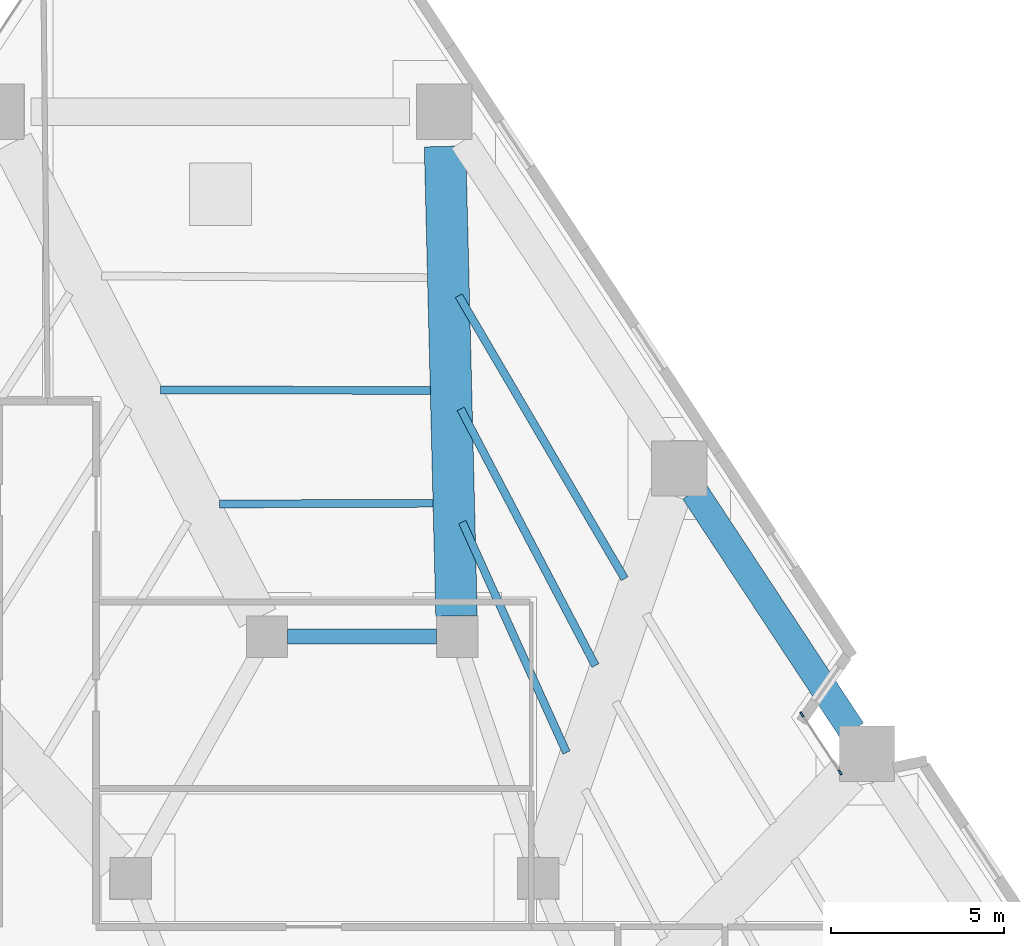
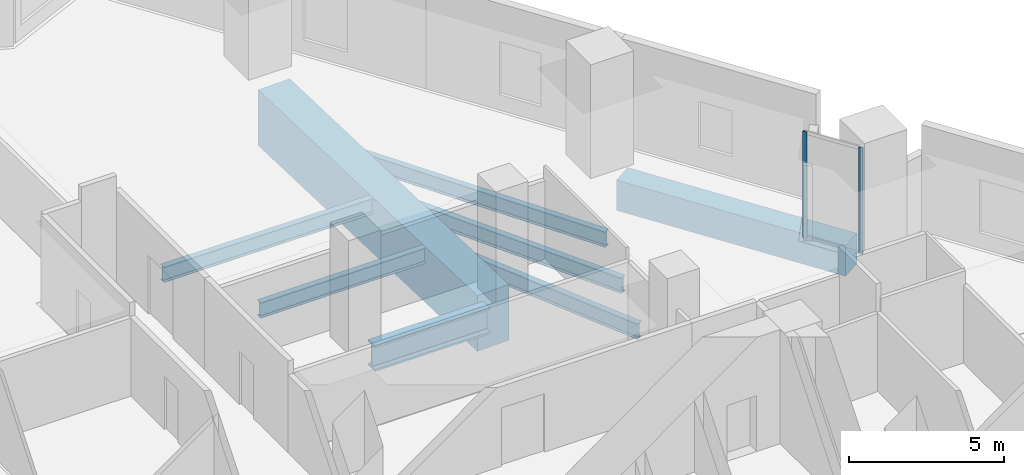
# One storey, part 5 of 15: 8 beams, 2 members, 1 element without a shape of its own.
"""IFC4 building model written with IfcOpenShell, lengths in metres."""

from ifc_helpers import new_model, si_unit, direction, frame, origin, origin_2d, place, context, subcontext, project, spatial, rectangle, i_section, extrude, material, layer, layer_set, material_profile, profile_set, type_object, element, aggregate, save


model = new_model("IFC4")

# Units and contexts
model_context = context("Model", 3, precision=1e-05, world=origin(), true_north=direction((0.0, 1.0)))
body_context = subcontext(model_context, "Body", "Model", "MODEL_VIEW")
ifc_project = project(units=[si_unit("LENGTHUNIT", "METRE"), si_unit("AREAUNIT", "SQUARE_METRE"), si_unit("VOLUMEUNIT", "CUBIC_METRE"), si_unit("PLANEANGLEUNIT", "RADIAN"), si_unit("MASSUNIT", "GRAM", prefix="KILO")], contexts=[model_context])

# Site, building, storey
site_placement = place(None, origin())
site = spatial("IfcSite", under=ifc_project, at=site_placement, CompositionType="ELEMENT")
building_placement = place(site_placement, origin())
building = spatial("IfcBuilding", under=site, at=building_placement, Name="Almagre Mirador Tower", CompositionType="ELEMENT")
storey_placement = place(building_placement, frame((0.0, 0.0, 8.39990234375)))
storey = spatial("IfcBuildingStorey", under=building, at=storey_placement, Name="L01", CompositionType="ELEMENT", Elevation=8.39990234375)

# Beams
ifc_material_1 = material(Name="Steel ASTM A992 Grade 50", Category="steel")
ifc_material_profile_1 = material_profile(ifc_material_1, i_section(OverallWidth=0.22802734375, OverallDepth=0.60791015625, WebThickness=0.01123046875, FlangeThickness=0.017333984375, FilletRadius=0.02001953125, at=origin_2d()), Name="W24X76")
ifc_profile_set_1 = profile_set([ifc_material_profile_1], Name="Steel ASTM A992 Grade 50")
beam_type_1 = type_object("IfcBeamType", Name="BM-JST-W24X76", PredefinedType="JOIST", material=ifc_profile_set_1)
beam_1_placement = place(storey_placement, frame((47.7001953125, 27.876708984375, -0.60400390625), z_axis=(-0.505755141084, 0.86267707589, 0.0), x_axis=(-0.86267707589, -0.505755141084, 0.0)))
element("IfcBeam", 1, at=beam_1_placement, inside=storey, type_object=beam_type_1, Name="L01 secondary floor joist PC07-PC08.1", PredefinedType="JOIST", context=body_context, shape_type="SweptSolid", body=[
    extrude(i_section(OverallWidth=0.22802734375, OverallDepth=0.60791015625, WebThickness=0.01123046875, FlangeThickness=0.017333984375, FilletRadius=0.02001953125, at=origin_2d()), origin(), (0.0, 0.0, 1.0), 9.49267578125),
])
beam_2_placement = place(storey_placement, frame((46.855224609375, 25.35986328125, -0.60400390625), z_axis=(-0.464789430627, 0.885421247304, 0.0), x_axis=(-0.885421247304, -0.464789430627, 0.0)))
element("IfcBeam", 2, at=beam_2_placement, inside=storey, type_object=beam_type_1, Name="L01 secondary floor joist PC07-PC08.2", PredefinedType="JOIST", context=body_context, shape_type="SweptSolid", body=[
    extrude(i_section(OverallWidth=0.22802734375, OverallDepth=0.60791015625, WebThickness=0.01123046875, FlangeThickness=0.017333984375, FilletRadius=0.02001953125, at=origin_2d()), origin(), (0.0, 0.0, 1.0), 8.392822265625),
])
beam_3_placement = place(storey_placement, frame((46.017333984375, 22.8447265625, -0.60400390625), z_axis=(-0.411874476512, 0.9112405915, 0.0), x_axis=(-0.9112405915, -0.411874476512, 0.0)))
element("IfcBeam", 3, at=beam_3_placement, inside=storey, type_object=beam_type_1, Name="L01 secondary floor joist PC07-PC08.3", PredefinedType="JOIST", context=body_context, shape_type="SweptSolid", body=[
    extrude(i_section(OverallWidth=0.22802734375, OverallDepth=0.60791015625, WebThickness=0.01123046875, FlangeThickness=0.017333984375, FilletRadius=0.02001953125, at=origin_2d()), origin(), (0.0, 0.0, 1.0), 7.3193359375),
])
beam_4_placement = place(storey_placement, frame((42.07568359375, 33.323486328125, -0.60400390625), z_axis=(-0.999997869593, 0.002064172746, 0.0), x_axis=(-0.002064172746, -0.999997869593, 0.0)))
element("IfcBeam", 4, at=beam_4_placement, inside=storey, type_object=beam_type_1, Name="L01 secondary floor joist PC08-PC09.2", PredefinedType="JOIST", context=body_context, shape_type="SweptSolid", body=[
    extrude(i_section(OverallWidth=0.22802734375, OverallDepth=0.60791015625, WebThickness=0.01123046875, FlangeThickness=0.017333984375, FilletRadius=0.02001953125, at=origin_2d()), origin(), (0.0, 0.0, 1.0), 7.80615234375),
])
beam_5_placement = place(storey_placement, frame((42.155517578125, 30.05908203125, -0.60400390625), z_axis=(-0.999994758434, -0.003237762386, 0.0), x_axis=(0.003237762386, -0.999994758434, 0.0)))
element("IfcBeam", 5, at=beam_5_placement, inside=storey, type_object=beam_type_1, Name="L01 secondary floor joist PC08-PC09.3", PredefinedType="JOIST", context=body_context, shape_type="SweptSolid", body=[
    extrude(i_section(OverallWidth=0.22802734375, OverallDepth=0.60791015625, WebThickness=0.01123046875, FlangeThickness=0.017333984375, FilletRadius=0.02001953125, at=origin_2d()), origin(), (0.0, 0.0, 1.0), 6.18310546875),
])
ifc_material_2 = material(Name="Precast concrete C50/60", Category="concrete")
ifc_material_profile_2 = material_profile(ifc_material_2, rectangle(XDim=0.800048828125, YDim=1.199951171875, at=origin_2d()), Name="RC800X1200")
ifc_profile_set_2 = profile_set([ifc_material_profile_2], Name="Precast concrete C50/60")
beam_type_2 = type_object("IfcBeamType", Name="BM-SPN-RC800X1200", PredefinedType="SPANDREL", material=ifc_profile_set_2)
beam_6_placement = place(storey_placement, frame((54.27783203125, 23.47998046875, -0.89990234375), z_axis=(-0.55020506323, 0.835029573366, 0.0), x_axis=(-0.835029573366, -0.55020506323, 0.0)))
element("IfcBeam", 6, at=beam_6_placement, inside=storey, type_object=beam_type_2, Name="L01 perimeter spandrel beam PC06-PC07", PredefinedType="SPANDREL", context=body_context, shape_type="SweptSolid", body=[
    extrude(rectangle(XDim=0.800048828125, YDim=1.199951171875, at=origin_2d()), origin(), (0.0, 0.0, 1.0), 8.287109375),
])
ifc_material_3 = material(Name="Steel ASTM A992 Grade 50", Category="steel")
ifc_material_profile_3 = material_profile(ifc_material_3, i_section(OverallWidth=0.43701171875, OverallDepth=1.010986328125, WebThickness=0.041015625, FlangeThickness=0.073974609375, FilletRadius=0.028076171875, at=origin_2d()), Name="W36X529")
ifc_profile_set_3 = profile_set([ifc_material_profile_3], Name="Steel ASTM A992 Grade 50")
beam_type_3 = type_object("IfcBeamType", Name="BM-STL-W36X529", PredefinedType="BEAM", material=ifc_profile_set_3)
beam_7_placement = place(storey_placement, frame((37.949951171875, 26.199951171875, -0.805419921875), z_axis=(1.0, 0.0, 0.0), x_axis=(0.0, 1.0, 0.0)))
element("IfcBeam", 7, at=beam_7_placement, inside=storey, type_object=beam_type_3, Name="L01 core tie girder MC7-MC6", PredefinedType="BEAM", context=body_context, shape_type="SweptSolid", body=[
    extrude(i_section(OverallWidth=0.43701171875, OverallDepth=1.010986328125, WebThickness=0.041015625, FlangeThickness=0.073974609375, FilletRadius=0.028076171875, at=origin_2d()), origin(), (0.0, 0.0, 1.0), 4.300048828125),
])
ifc_material_4 = material(Name="Concrete C60/75", Category="concrete")
ifc_material_profile_4 = material_profile(ifc_material_4, rectangle(XDim=1.199951171875, YDim=2.199951171875, at=origin_2d()), Name="RC1200X2200")
ifc_profile_set_4 = profile_set([ifc_material_profile_4], Name="Concrete C60/75")
beam_type_4 = type_object("IfcBeamType", Name="BM-XFER-RC1200X2200", PredefinedType="BEAM", material=ifc_profile_set_4)
beam_8_placement = place(storey_placement, frame((42.50244140625, 40.38818359375, -1.39990234375), z_axis=(0.024481502854, -0.999700283094, 0.0), x_axis=(0.999700283094, 0.024481502854, 0.0)))
element("IfcBeam", 8, at=beam_8_placement, inside=storey, type_object=beam_type_4, Name="L01 radial transfer girder PC08-MC6", PredefinedType="BEAM", context=body_context, shape_type="SweptSolid", body=[
    extrude(rectangle(XDim=1.199951171875, YDim=2.199951171875, at=origin_2d()), origin(), (0.0, 0.0, 1.0), 13.592529296875),
])

# Curtain wall, members
ifc_material_5 = material(Name="Black anodized aluminium", Category="aluminium")
ifc_layer = layer(ifc_material_5, 0.169921875)
ifc_layer_set = layer_set([ifc_layer], Name="Black anodized aluminium")
curtain_wall_type = type_object("IfcCurtainWallType", Name="CW-CRS-SYS", PredefinedType="NOTDEFINED", material=ifc_layer_set)
curtain_wall_placement = place(storey_placement, origin())
curtain_wall = element("IfcCurtainWall", 9, at=curtain_wall_placement, inside=storey, type_object=curtain_wall_type, Name="L01 vertical crease curtain wall 05", PredefinedType="NOTDEFINED")
ifc_material_6 = material(Name="Black anodized aluminium", Category="aluminium")
ifc_material_profile_5 = material_profile(ifc_material_6, rectangle(XDim=0.06005859375, YDim=0.14990234375, at=origin_2d()), Name="CWM60X150")
ifc_profile_set_5 = profile_set([ifc_material_profile_5], Name="Black anodized aluminium")
member_type = type_object("IfcMemberType", Name="MBR-CWM60X150", PredefinedType="MULLION", material=ifc_profile_set_5)
member_1_placement = place(storey_placement, frame((52.83154296875, 23.94775390625, 0.0), z_axis=(0.0, 0.0, 1.0), x_axis=(0.8349914423, 0.550262929231, 0.0)))
member_1 = element("IfcMember", 10, at=member_1_placement, type_object=member_type, Name="CW-4 mullion 1", PredefinedType="MULLION", context=body_context, shape_type="SweptSolid", body=[
    extrude(rectangle(XDim=0.06005859375, YDim=0.14990234375, at=origin_2d()), origin(), (0.0, 0.0, 1.0), 4.2001953125),
])
member_2_placement = place(storey_placement, frame((53.939453125, 22.2666015625, 0.0), z_axis=(0.0, 0.0, 1.0), x_axis=(0.8349914423, 0.550262929231, 0.0)))
member_2 = element("IfcMember", 11, at=member_2_placement, type_object=member_type, Name="CW-4 mullion 2", PredefinedType="MULLION", context=body_context, shape_type="SweptSolid", body=[
    extrude(rectangle(XDim=0.06005859375, YDim=0.14990234375, at=origin_2d()), origin(), (0.0, 0.0, 1.0), 4.2001953125),
])
aggregate(curtain_wall, [member_1, member_2])

save(model, "model.ifc")
